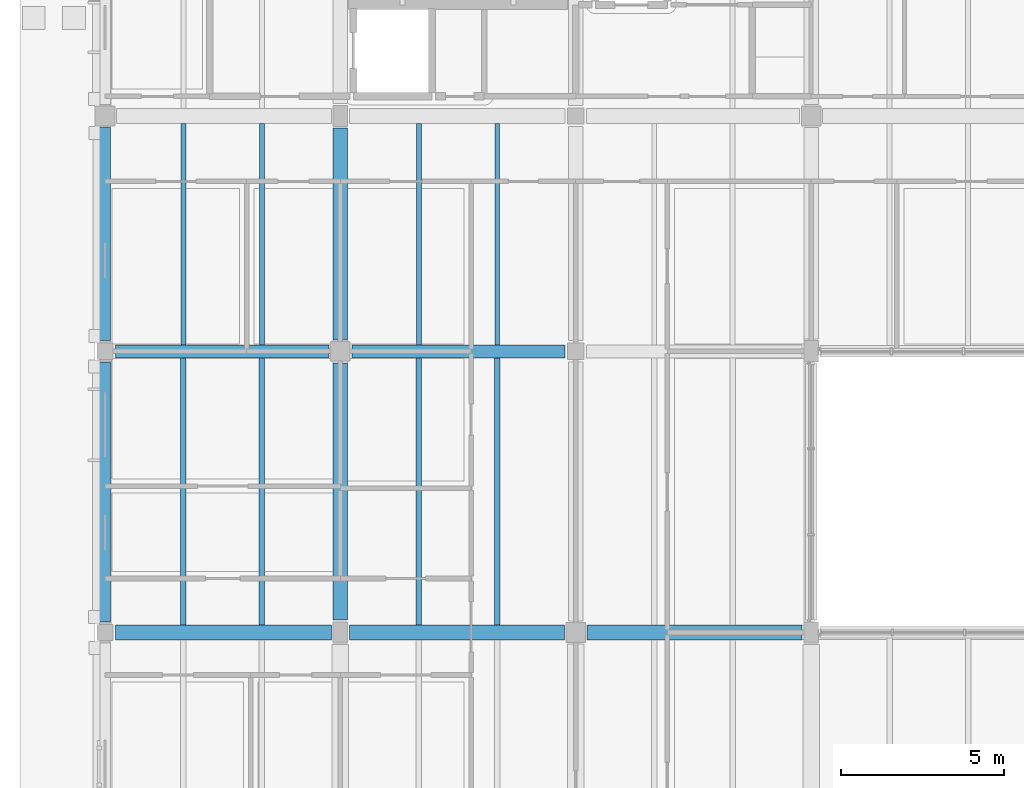
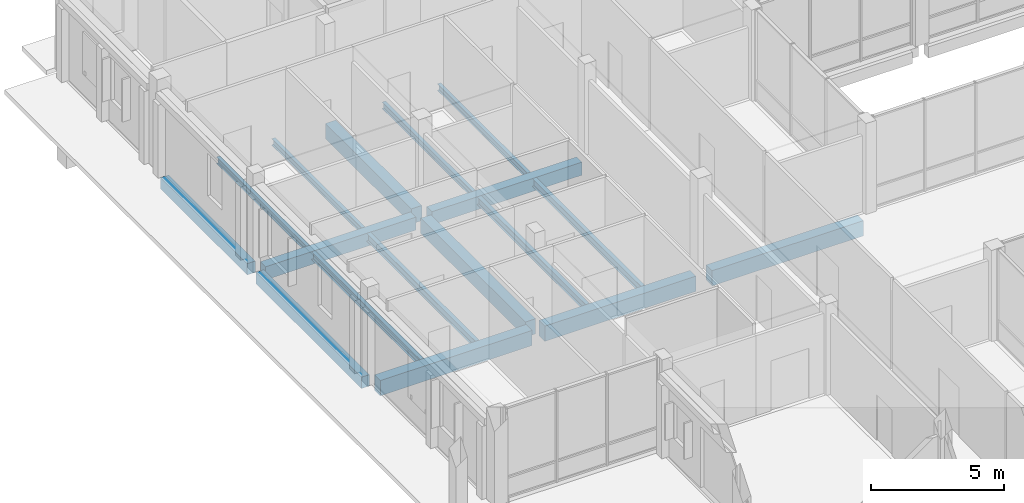
# One storey, part 30 of 104: 17 beams.
"""IFC4 building model written with IfcOpenShell, lengths in metres."""

from ifc_helpers import new_model, si_unit, direction, frame, origin, origin_2d, place, context, subcontext, project, spatial, rectangle, i_section, extrude, material, material_profile, profile_set, type_object, element, save


model = new_model("IFC4")

# Units and contexts
model_context = context("Model", 3, precision=1e-05, world=origin(), true_north=direction((0.0, 1.0)))
body_context = subcontext(model_context, "Body", "Model", "MODEL_VIEW")
ifc_project = project(units=[si_unit("LENGTHUNIT", "METRE"), si_unit("AREAUNIT", "SQUARE_METRE"), si_unit("VOLUMEUNIT", "CUBIC_METRE"), si_unit("PLANEANGLEUNIT", "RADIAN"), si_unit("MASSUNIT", "GRAM", prefix="KILO")], contexts=[model_context])

# Site, building, storey
site_placement = place(None, origin())
site = spatial("IfcSite", under=ifc_project, at=site_placement, CompositionType="ELEMENT")
building_placement = place(site_placement, origin())
building = spatial("IfcBuilding", under=site, at=building_placement, Name="Hawrajan Terrace Health Centre", CompositionType="ELEMENT")
storey_placement = place(building_placement, origin())
storey = spatial("IfcBuildingStorey", under=building, at=storey_placement, Name="L00", CompositionType="ELEMENT", Elevation=0.0)

# Beams
ifc_material_1 = material(Name="Concrete C40/50", Category="concrete")
ifc_material_profile_1 = material_profile(ifc_material_1, rectangle(XDim=0.39990234375, YDim=0.60009765625, at=origin_2d()), Name="RC BM 400x600")
ifc_profile_set_1 = profile_set([ifc_material_profile_1], Name="Concrete C40/50")
beam_type_1 = type_object("IfcBeamType", Name="RCGirder_400x600", PredefinedType="BEAM", material=ifc_profile_set_1)
beam_1_placement = place(storey_placement, frame((4.925048828125, 45.39990234375, -0.60009765625), z_axis=(1.0, 0.0, 0.0), x_axis=(0.0, 1.0, 0.0)))
element("IfcBeam", 1, at=beam_1_placement, inside=storey, type_object=beam_type_1, Name="Beam BM-X-L00-W-01-Y6", PredefinedType="BEAM", context=body_context, shape_type="SweptSolid", body=[
    extrude(rectangle(XDim=0.39990234375, YDim=0.60009765625, at=origin_2d()), origin(), (0.0, 0.0, 1.0), 6.52490234375),
])
beam_2_placement = place(storey_placement, frame((12.14990234375, 45.39990234375, -0.60009765625), z_axis=(1.0, 0.0, 0.0), x_axis=(0.0, 1.0, 0.0)))
element("IfcBeam", 2, at=beam_2_placement, inside=storey, type_object=beam_type_1, Name="Beam BM-X-L00-W-02-Y6", PredefinedType="BEAM", context=body_context, shape_type="SweptSolid", body=[
    extrude(rectangle(XDim=0.39990234375, YDim=0.60009765625, at=origin_2d()), origin(), (0.0, 0.0, 1.0), 6.525146484375),
])
ifc_material_profile_2 = material_profile(ifc_material_1, rectangle(XDim=0.449951171875, YDim=0.699951171875, at=origin_2d()), Name="RC BM 450x700")
ifc_profile_set_2 = profile_set([ifc_material_profile_2], Name="Concrete C40/50")
beam_type_2 = type_object("IfcBeamType", Name="RCGirder_450x700", PredefinedType="BEAM", material=ifc_profile_set_2)
beam_3_placement = place(storey_placement, frame((4.925048828125, 36.800048828125, -0.64990234375), z_axis=(1.0, 0.0, 0.0), x_axis=(0.0, 1.0, 0.0)))
element("IfcBeam", 3, at=beam_3_placement, inside=storey, type_object=beam_type_2, Name="Beam BM-X-L00-W-01-Y5", PredefinedType="BEAM", context=body_context, shape_type="SweptSolid", body=[
    extrude(rectangle(XDim=0.449951171875, YDim=0.699951171875, at=origin_2d()), origin(), (0.0, 0.0, 1.0), 6.599853515625),
])
for number, where, z_axis, x_axis, name in (
    (4, (12.074951171875, 36.800048828125, -0.64990234375), (1.0, 0.0, 0.0), (0.0, 1.0, 0.0), "Beam BM-X-L00-W-02-Y5"),
    (5, (19.35009765625, 36.800048828125, -0.64990234375), (1.0, 0.0, 0.0), (0.0, 1.0, 0.0), "Beam BM-X-L00-W-03-Y5"),
):
    element("IfcBeam", number, at=place(storey_placement, frame(where, z_axis=z_axis, x_axis=x_axis)), inside=storey, type_object=beam_type_2, Name=name, PredefinedType="BEAM", context=body_context, shape_type="SweptSolid", body=[
        extrude(rectangle(XDim=0.449951171875, YDim=0.699951171875, at=origin_2d()), origin(), (0.0, 0.0, 1.0), 6.574951171875),
    ])
beam_4_placement = place(storey_placement, frame((11.800048828125, 37.175048828125, -0.64990234375), z_axis=(0.0, 1.0, 0.0), x_axis=(-1.0, 0.0, 0.0)))
element("IfcBeam", 6, at=beam_4_placement, inside=storey, type_object=beam_type_2, Name="Beam BM-Y-L00-W-X02-5", PredefinedType="BEAM", context=body_context, shape_type="SweptSolid", body=[
    extrude(rectangle(XDim=0.449951171875, YDim=0.699951171875, at=origin_2d()), origin(), (0.0, 0.0, 1.0), 7.875),
])
beam_5_placement = place(storey_placement, frame((11.800048828125, 45.75, -0.64990234375), z_axis=(0.0, 1.0, 0.0), x_axis=(-1.0, 0.0, 0.0)))
element("IfcBeam", 7, at=beam_5_placement, inside=storey, type_object=beam_type_2, Name="Beam BM-Y-L00-W-X02-6", PredefinedType="BEAM", context=body_context, shape_type="SweptSolid", body=[
    extrude(rectangle(XDim=0.449951171875, YDim=0.699951171875, at=origin_2d()), origin(), (0.0, 0.0, 1.0), 6.47509765625),
])
ifc_material_profile_3 = material_profile(ifc_material_1, rectangle(XDim=0.35009765625, YDim=0.52001953125, at=origin_2d()), Name="RC SP 350x520")
ifc_profile_set_3 = profile_set([ifc_material_profile_3], Name="Concrete C40/50")
beam_type_3 = type_object("IfcBeamType", Name="RCSpandrel_350x520", PredefinedType="SPANDREL", material=ifc_profile_set_3)
beam_6_placement = place(storey_placement, frame((4.60009765625, 37.125, -0.56005859375), z_axis=(0.0, 1.0, 0.0), x_axis=(-1.0, 0.0, 0.0)))
element("IfcBeam", 8, at=beam_6_placement, inside=storey, type_object=beam_type_3, Name="Beam BM-Y-L00-W-X01-5", PredefinedType="SPANDREL", context=body_context, shape_type="SweptSolid", body=[
    extrude(rectangle(XDim=0.35009765625, YDim=0.52001953125, at=origin_2d()), origin(), (0.0, 0.0, 1.0), 7.949951171875),
])
beam_7_placement = place(storey_placement, frame((4.60009765625, 45.72509765625, -0.56005859375), z_axis=(0.0, 1.0, 0.0), x_axis=(-1.0, 0.0, 0.0)))
element("IfcBeam", 9, at=beam_7_placement, inside=storey, type_object=beam_type_3, Name="Beam BM-Y-L00-W-X01-6", PredefinedType="SPANDREL", context=body_context, shape_type="SweptSolid", body=[
    extrude(rectangle(XDim=0.35009765625, YDim=0.52001953125, at=origin_2d()), origin(), (0.0, 0.0, 1.0), 6.52490234375),
])
ifc_material_2 = material(Name="Steel S355", Category="steel")
ifc_material_profile_4 = material_profile(ifc_material_2, i_section(OverallWidth=0.14990234375, OverallDepth=0.300048828125, WebThickness=0.007080078125, FlangeThickness=0.0107421875, FilletRadius=0.014892578125, at=origin_2d()), Name="IPE 300")
ifc_profile_set_4 = profile_set([ifc_material_profile_4], Name="Steel S355")
beam_type_4 = type_object("IfcBeamType", Name="SteelBeam_IPE300", PredefinedType="JOIST", material=ifc_profile_set_4)
for number, where, z_axis, x_axis, name in (
    (10, (7.0, 45.60009765625, -0.449951171875), (0.0, 1.0, 0.0), (-1.0, 0.0, 0.0), "Secondary joist JST-L00-W-01-6-1"),
    (11, (9.39990234375, 45.60009765625, -0.449951171875), (0.0, 1.0, 0.0), (-1.0, 0.0, 0.0), "Secondary joist JST-L00-W-01-6-2"),
    (12, (14.199951171875, 45.60009765625, -0.449951171875), (0.0, 1.0, 0.0), (-1.0, 0.0, 0.0), "Secondary joist JST-L00-W-02-6-1"),
    (13, (16.60009765625, 45.60009765625, -0.449951171875), (0.0, 1.0, 0.0), (-1.0, 0.0, 0.0), "Secondary joist JST-L00-W-02-6-2"),
):
    element("IfcBeam", number, at=place(storey_placement, frame(where, z_axis=z_axis, x_axis=x_axis)), inside=storey, type_object=beam_type_4, Name=name, PredefinedType="JOIST", context=body_context, shape_type="SweptSolid", body=[
        extrude(i_section(OverallWidth=0.14990234375, OverallDepth=0.300048828125, WebThickness=0.007080078125, FlangeThickness=0.0107421875, FilletRadius=0.014892578125, at=origin_2d()), origin(), (0.0, 0.0, 1.0), 6.77490234375),
    ])
ifc_material_profile_5 = material_profile(ifc_material_2, i_section(OverallWidth=0.169921875, OverallDepth=0.360107421875, WebThickness=0.008056640625, FlangeThickness=0.0126953125, FilletRadius=0.01806640625, at=origin_2d()), Name="IPE 360")
ifc_profile_set_5 = profile_set([ifc_material_profile_5], Name="Steel S355")
beam_type_5 = type_object("IfcBeamType", Name="SteelBeam_IPE360", PredefinedType="BEAM", material=ifc_profile_set_5)
for number, where, z_axis, x_axis, name in (
    (14, (7.0, 37.02490234375, -0.47998046875), (0.0, 1.0, 0.0), (-1.0, 0.0, 0.0), "Secondary joist JST-L00-W-01-5-1"),
    (15, (9.39990234375, 37.02490234375, -0.47998046875), (0.0, 1.0, 0.0), (-1.0, 0.0, 0.0), "Secondary joist JST-L00-W-01-5-2"),
    (16, (14.199951171875, 37.02490234375, -0.47998046875), (0.0, 1.0, 0.0), (-1.0, 0.0, 0.0), "Secondary joist JST-L00-W-02-5-1"),
    (17, (16.60009765625, 37.02490234375, -0.47998046875), (0.0, 1.0, 0.0), (-1.0, 0.0, 0.0), "Secondary joist JST-L00-W-02-5-2"),
):
    element("IfcBeam", number, at=place(storey_placement, frame(where, z_axis=z_axis, x_axis=x_axis)), inside=storey, type_object=beam_type_5, Name=name, PredefinedType="BEAM", context=body_context, shape_type="SweptSolid", body=[
        extrude(i_section(OverallWidth=0.169921875, OverallDepth=0.360107421875, WebThickness=0.008056640625, FlangeThickness=0.0126953125, FilletRadius=0.01806640625, at=origin_2d()), origin(), (0.0, 0.0, 1.0), 8.175048828125),
    ])

save(model, "model.ifc")
